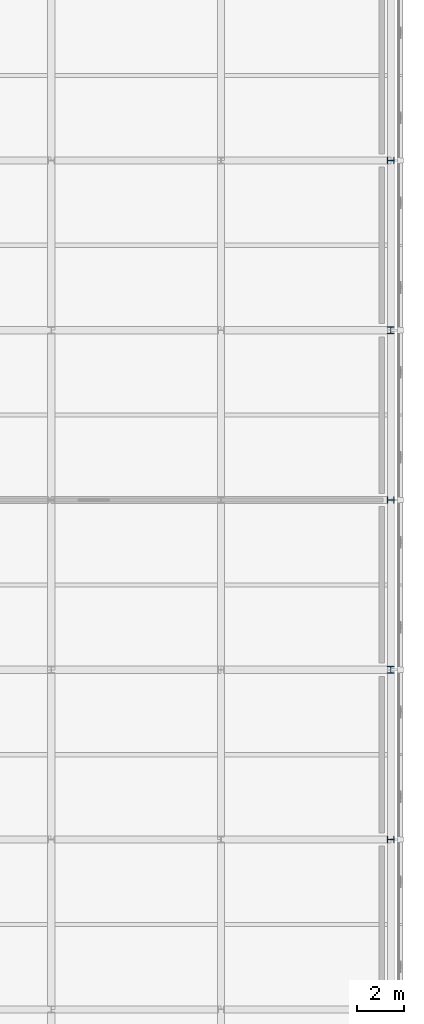
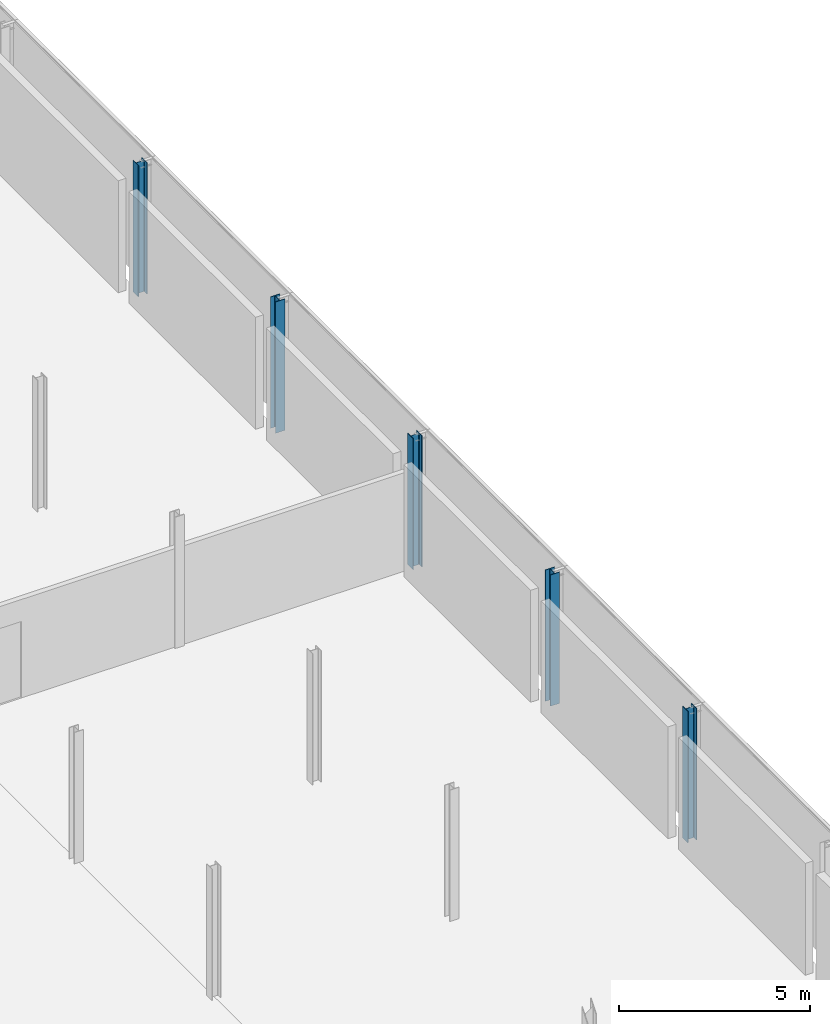
# One storey, part 21 of 146: 5 columns.
"""IFC4 building model written with IfcOpenShell, lengths in metres."""

import ifcopenshell
import ifcopenshell.guid

model = None  # the IFC model being written
_history = None  # IfcOwnerHistory: only IFC2X3 demands one
_inside = {}  # id of a spatial element -> (the spatial element, [elements in it])
_under = {}  # id of a project, library or spatial element -> (it, [spatial elements below it])
_declared = {}  # id of a project -> (the project, [libraries it declares])
_typed = {}  # id of a type object -> (the type object, [elements of that type])
_made_of = {}  # id of a material, layer set ... -> (it, [elements and type objects made of it])


def new_model(schema):
    """Start an empty IFC model of exactly this schema.

    Asked for "IFC4X3", IfcOpenShell would pick the latest addendum, in which some entities
    have other attributes; the version numbers below select the first issue.
    IFC2X3 requires an IfcOwnerHistory on every rooted entity: one is made here for all.
    """
    global model, _history
    if schema == "IFC4X3":
        model = ifcopenshell.file(schema_version=(4, 3, 0, 0))
    else:
        model = ifcopenshell.file(schema=schema)
    _inside.clear()
    _under.clear()
    _declared.clear()
    _typed.clear()
    _made_of.clear()
    _history = None
    if model.schema == "IFC2X3":
        org = make("IfcOrganization", Name="unknown")
        user = make(
            "IfcPersonAndOrganization",
            ThePerson=make("IfcPerson", FamilyName="unknown"),
            TheOrganization=org,
        )
        app = make(
            "IfcApplication",
            ApplicationDeveloper=org,
            Version="unknown",
            ApplicationFullName="unknown",
            ApplicationIdentifier="unknown",
        )
        _history = make(
            "IfcOwnerHistory",
            OwningUser=user,
            OwningApplication=app,
            ChangeAction="ADDED",
            CreationDate=0,
        )
    return model


def make(cls, **values):
    """One entity of the class cls with the attributes given. An attribute that is None is left unset."""
    return model.create_entity(
        cls, **{name: value for name, value in values.items() if value is not None}
    )


def rooted(cls, **values):
    """An entity with a GlobalId (a new one), such as an element, a storey or a relation."""
    return make(cls, GlobalId=ifcopenshell.guid.new(), OwnerHistory=_history, **values)


def si_unit(unit_type, name, prefix=None):
    """IfcSIUnit, for example si_unit("LENGTHUNIT", "METRE", prefix="MILLI")."""
    return make("IfcSIUnit", UnitType=unit_type, Prefix=prefix, Name=name)


def assignment(units):
    """IfcUnitAssignment: the units of a project."""
    return None if units is None else make("IfcUnitAssignment", Units=units)


def point(xyz):
    """IfcCartesianPoint."""
    return None if xyz is None else make("IfcCartesianPoint", Coordinates=xyz)


def direction(xyz):
    """IfcDirection."""
    return None if xyz is None else make("IfcDirection", DirectionRatios=xyz)


def frame(location, z_axis=None, x_axis=None):
    """IfcAxis2Placement3D, a coordinate frame: its origin and axes. An axis left out is left unset."""
    return make(
        "IfcAxis2Placement3D",
        Location=point(location),
        Axis=direction(z_axis),
        RefDirection=direction(x_axis),
    )


def frame_2d(location, x_axis=None):
    """IfcAxis2Placement2D, a coordinate frame in the plane: its origin and x axis."""
    return make(
        "IfcAxis2Placement2D", Location=point(location), RefDirection=direction(x_axis)
    )


def origin():
    """The frame at (0, 0, 0) with its axes left unset."""
    return frame((0.0, 0.0, 0.0))


def origin_2d():
    """The frame at (0, 0) in the plane with its x axis left unset."""
    return frame_2d((0.0, 0.0))


def place(relative_to, where):
    """IfcLocalPlacement: puts the frame where relative to a parent placement (None: the world)."""
    return make(
        "IfcLocalPlacement", PlacementRelTo=relative_to, RelativePlacement=where
    )


def context(
    kind, dimensions, precision=None, world=None, true_north=None, identifier=None
):
    """IfcGeometricRepresentationContext, for example the 3D "Model" context."""
    return make(
        "IfcGeometricRepresentationContext",
        ContextIdentifier=identifier,
        ContextType=kind,
        CoordinateSpaceDimension=dimensions,
        Precision=precision,
        WorldCoordinateSystem=world,
        TrueNorth=true_north,
    )


def subcontext(parent, identifier, kind, view, scale=None):
    """IfcGeometricRepresentationSubContext, for example "Body" below "Model"."""
    return make(
        "IfcGeometricRepresentationSubContext",
        ContextIdentifier=identifier,
        ContextType=kind,
        ParentContext=parent,
        TargetScale=scale,
        TargetView=view,
    )


def project(units=None, contexts=None):
    """IfcProject with its units and contexts."""
    return rooted(
        "IfcProject",
        Name="project",
        RepresentationContexts=contexts,
        UnitsInContext=assignment(units),
    )


def spatial(cls, under=None, at=None, **own):
    """A site, building, storey or space (cls), placed at a placement, below another one or the project."""
    s = rooted(cls, ObjectPlacement=at, **own)
    if under is not None:
        _under.setdefault(under.id(), (under, []))[1].append(s)
    return s


def profile(cls, at=None, kind="AREA", **sizes):
    """A parametric profile (cls). Its sizes go by their IFC names, for example OverallWidth=200.0."""
    return make(cls, ProfileType=kind, Position=at, **sizes)


def i_section(**sizes):
    """IfcIShapeProfileDef."""
    return profile("IfcIShapeProfileDef", **sizes)


def extrude(swept, where, along, depth):
    """IfcExtrudedAreaSolid: the profile swept, set in the frame where, extruded along a direction by depth."""
    return make(
        "IfcExtrudedAreaSolid",
        SweptArea=swept,
        Position=where,
        ExtrudedDirection=direction(along),
        Depth=depth,
    )


def shape(context_of_items, identifier, shape_type, items):
    """IfcShapeRepresentation: the items that make up one representation, for example the "Body"."""
    return make(
        "IfcShapeRepresentation",
        ContextOfItems=context_of_items,
        RepresentationIdentifier=identifier,
        RepresentationType=shape_type,
        Items=items,
    )


def material(Name=None, Category=None):
    """IfcMaterial."""
    return make("IfcMaterial", Name=Name, Category=Category)


def material_profile(
    of_material, cross_section, Name=None, Category=None, Priority=None
):
    """IfcMaterialProfile: a cross section and its material."""
    return make(
        "IfcMaterialProfile",
        Name=Name,
        Material=of_material,
        Profile=cross_section,
        Priority=Priority,
        Category=Category,
    )


def profile_set(profiles, Name=None, composite=None):
    """IfcMaterialProfileSet."""
    return make(
        "IfcMaterialProfileSet",
        Name=Name,
        MaterialProfiles=profiles,
        CompositeProfile=composite,
    )


def made_of(thing, what):
    """Note that an element or type object is made of a material, layer set ...; save() writes the relation."""
    if what is not None:
        _made_of.setdefault(what.id(), (what, []))[1].append(thing)
    return thing


def type_object(cls, material=None, **own):
    """A type object (cls), such as IfcWallType, which elements share."""
    return made_of(rooted(cls, **own), material)


def element(
    cls,
    number,
    at=None,
    inside=None,
    cuts=None,
    type_object=None,
    material=None,
    context=None,
    identifier="Body",
    shape_type=None,
    held_by="IfcProductDefinitionShape",
    body=None,
    shapes=None,
    **own,
):
    """One element of the class cls, such as IfcWall. Its Tag is "e" and its number.

    at: its placement. inside: the storey or other place that contains it. cuts: it is an
    opening in that element (IfcRelVoidsElement). A single representation is given by context,
    identifier, shape_type and body (its items); several are given by shapes. held_by: the class
    of the entity that holds the representations. save() writes the other relations.
    """
    e = rooted(cls, Tag="e%d" % number, ObjectPlacement=at, **own)
    if body is not None:
        shapes = [shape(context, identifier, shape_type, body)]
    if shapes is not None:
        e.Representation = make(held_by, Representations=shapes)
    if inside is not None:
        _inside.setdefault(inside.id(), (inside, []))[1].append(e)
    if cuts is not None:
        rooted(
            "IfcRelVoidsElement", RelatingBuildingElement=cuts, RelatedOpeningElement=e
        )
    if type_object is not None:
        _typed.setdefault(type_object.id(), (type_object, []))[1].append(e)
    return made_of(e, material)


def aggregate(whole, parts):
    """IfcRelAggregates: a whole, such as a stair, and the parts it consists of."""
    return rooted("IfcRelAggregates", RelatingObject=whole, RelatedObjects=parts)


def save(model, path):
    """Write the relations noted so far, then the file.

    IfcRelAggregates (storeys below a building ...), IfcRelContainedInSpatialStructure (elements
    in a storey), IfcRelDefinesByType, IfcRelAssociatesMaterial and IfcRelDeclares: one each for
    every whole, place, type object, material and project.
    """
    for whole, parts in _under.values():
        aggregate(whole, parts)
    for where, things in _inside.values():
        rooted(
            "IfcRelContainedInSpatialStructure",
            RelatedElements=things,
            RelatingStructure=where,
        )
    for kind, things in _typed.values():
        rooted("IfcRelDefinesByType", RelatedObjects=things, RelatingType=kind)
    for what, things in _made_of.values():
        rooted("IfcRelAssociatesMaterial", RelatedObjects=things, RelatingMaterial=what)
    for by, libraries in _declared.values():
        rooted("IfcRelDeclares", RelatingContext=by, RelatedDefinitions=libraries)
    model.write(path)


model = new_model("IFC4")

# Units and contexts
model_context = context("Model", 3, precision=1e-05, world=origin(), true_north=direction((0.0, 1.0)))
body_context = subcontext(model_context, "Body", "Model", "MODEL_VIEW")
ifc_project = project(units=[si_unit("LENGTHUNIT", "METRE"), si_unit("AREAUNIT", "SQUARE_METRE"), si_unit("VOLUMEUNIT", "CUBIC_METRE"), si_unit("PLANEANGLEUNIT", "RADIAN"), si_unit("MASSUNIT", "GRAM", prefix="KILO")], contexts=[model_context])

# Site, building, storey
site_placement = place(None, origin())
site = spatial("IfcSite", under=ifc_project, at=site_placement, CompositionType="ELEMENT")
building_placement = place(site_placement, origin())
building = spatial("IfcBuilding", under=site, at=building_placement, Name="Zlatovets Crest Museum", CompositionType="ELEMENT")
storey_placement = place(building_placement, frame((0.0, 0.0, 4.5)))
storey = spatial("IfcBuildingStorey", under=building, at=storey_placement, Name="L01", CompositionType="ELEMENT", Elevation=4.5)

# Columns
ifc_material = material(Name="Structural steel S355J2", Category="steel")
ifc_material_profile = material_profile(ifc_material, i_section(OverallWidth=0.280029296875, OverallDepth=0.280029296875, WebThickness=0.010498046875, FlangeThickness=0.01806640625, FilletRadius=0.02392578125, at=origin_2d()), Name="HEB 280")
ifc_profile_set = profile_set([ifc_material_profile], Name="Structural steel S355J2")
column_type = type_object("IfcColumnType", Name="Col_C-17", PredefinedType="COLUMN", material=ifc_profile_set)
for number, where, z_axis, x_axis, name in (
    (1, (165.60009765625, 28.800048828125, 0.0), (0.0, 0.0, 1.0), (0.0, 1.0, 0.0), "V5 L01 Column (165.6, 28.8)"),
    (2, (165.60009765625, 36.0, 0.0), (0.0, 0.0, 1.0), (1.0, 0.0, 0.0), "V5 L01 Column (165.6, 36.0)"),
    (3, (165.60009765625, 43.199951171875, 0.0), (0.0, 0.0, 1.0), (0.0, 1.0, 0.0), "V5 L01 Column (165.6, 43.2)"),
    (4, (165.60009765625, 50.39990234375, 0.0), (0.0, 0.0, 1.0), (1.0, 0.0, 0.0), "V5 L01 Column (165.6, 50.4)"),
    (5, (165.60009765625, 57.60009765625, 0.0), (0.0, 0.0, 1.0), (0.0, 1.0, 0.0), "V5 L01 Column (165.6, 57.6)"),
):
    element("IfcColumn", number, at=place(storey_placement, frame(where, z_axis=z_axis, x_axis=x_axis)), inside=storey, type_object=column_type, Name=name, PredefinedType="COLUMN", context=body_context, shape_type="SweptSolid", body=[
        extrude(i_section(OverallWidth=0.280029296875, OverallDepth=0.280029296875, WebThickness=0.010498046875, FlangeThickness=0.01806640625, FilletRadius=0.02392578125, at=origin_2d()), origin(), (0.0, 0.0, 1.0), 4.199951171875),
    ])

save(model, "model.ifc")
